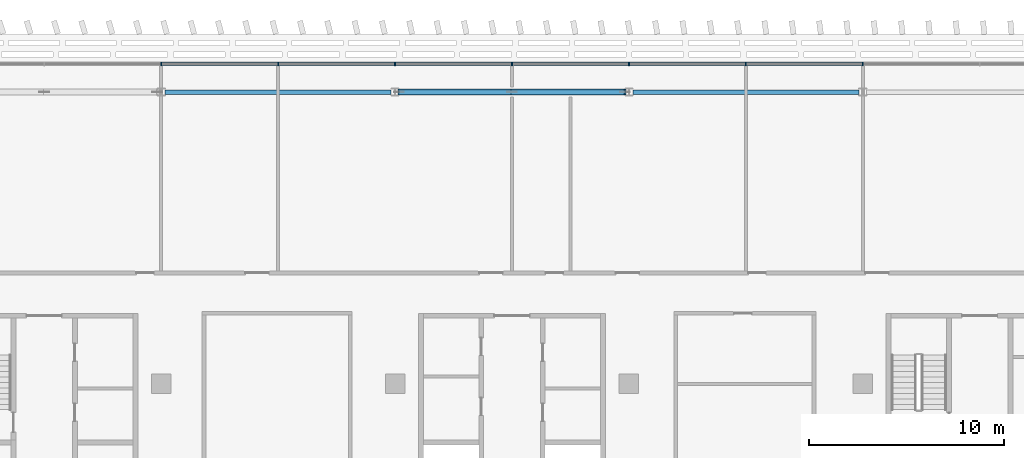
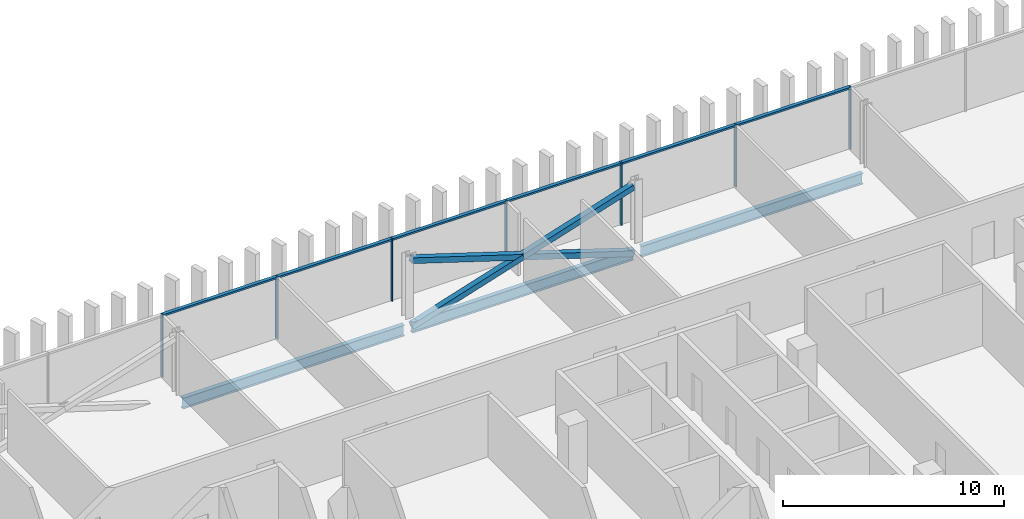
# One storey, part 10 of 32: 16 members, 3 beams, 1 element without a shape of its own.
"""IFC4 building model written with IfcOpenShell, lengths in metres."""

from ifc_helpers import new_model, si_unit, direction, frame, origin, origin_2d, place, context, subcontext, project, spatial, rectangle, hollow_rectangle, i_section, extrude, material, material_profile, profile_set, type_object, element, aggregate, save


model = new_model("IFC4")

# Units and contexts
model_context = context("Model", 3, precision=1e-05, world=origin(), true_north=direction((0.0, 1.0)))
body_context = subcontext(model_context, "Body", "Model", "MODEL_VIEW")
ifc_project = project(units=[si_unit("LENGTHUNIT", "METRE"), si_unit("AREAUNIT", "SQUARE_METRE"), si_unit("VOLUMEUNIT", "CUBIC_METRE"), si_unit("PLANEANGLEUNIT", "RADIAN"), si_unit("MASSUNIT", "GRAM", prefix="KILO")], contexts=[model_context])

# Site, building, storey
site_placement = place(None, origin())
site = spatial("IfcSite", under=ifc_project, at=site_placement, CompositionType="ELEMENT")
building_placement = place(site_placement, origin())
building = spatial("IfcBuilding", under=site, at=building_placement, Name="Mahtab Terrace Research Tower", CompositionType="ELEMENT")
storey_placement = place(building_placement, frame((0.0, 0.0, 240.0)))
storey = spatial("IfcBuildingStorey", under=building, at=storey_placement, Name="L58", CompositionType="ELEMENT", Elevation=240.0)

# Members
ifc_material_1 = material(Name="Steel ASTM A500 Gr C", Category="steel")
ifc_material_profile_1 = material_profile(ifc_material_1, hollow_rectangle(XDim=0.3046875, YDim=0.3046875, WallThickness=0.015869140625, at=origin_2d()), Name="HSS12X12X5/8")
ifc_profile_set_1 = profile_set([ifc_material_profile_1], Name="Steel ASTM A500 Gr C")
member_type_1 = type_object("IfcMemberType", Name="HSS 12x12x5/8 brace XB121258", PredefinedType="BRACE", material=ifc_profile_set_1)
member_1_placement = place(storey_placement, frame((5.800537109375, 26.472900390625, -0.580322265625), z_axis=(-0.953344342533, 0.0, 0.301885018774), x_axis=(0.0, -1.0, 0.0)))
element("IfcMember", 1, at=member_1_placement, inside=storey, type_object=member_type_1, Name="Exoskeleton brace L58 05 a", PredefinedType="BRACE", context=body_context, shape_type="SweptSolid", body=[
    extrude(hollow_rectangle(XDim=0.3046875, YDim=0.3046875, WallThickness=0.015869140625, at=origin_2d()), origin(), (0.0, 0.0, 1.0), 12.168701171875),
])
for number, where, z_axis, x_axis, name in (
    (2, (-5.800537109375, 26.472900390625, -0.580322265625), (0.953350116476, 0.0, 0.301866784219), (0.0, 1.0, 0.0), "Exoskeleton brace L58 05 b1"),
    (3, (0.0, 26.472900390625, 1.25634765625), (0.953338568311, 0.0, 0.301903252998), (0.0, 1.0, 0.0), "Exoskeleton brace L58 05 b2"),
):
    element("IfcMember", number, at=place(storey_placement, frame(where, z_axis=z_axis, x_axis=x_axis)), inside=storey, type_object=member_type_1, Name=name, PredefinedType="BRACE", context=body_context, shape_type="SweptSolid", body=[
        extrude(hollow_rectangle(XDim=0.3046875, YDim=0.3046875, WallThickness=0.015869140625, at=origin_2d()), origin(), (0.0, 0.0, 1.0), 6.08447265625),
    ])

# Curtain wall, members
ifc_material_2 = material(Name="Office ribbon curtain wall")
curtain_wall_type = type_object("IfcCurtainWallType", Name="Office ribbon curtain wall", PredefinedType="NOTDEFINED", material=ifc_material_2)
curtain_wall_placement = place(storey_placement, origin())
curtain_wall = element("IfcCurtainWall", 4, at=curtain_wall_placement, inside=storey, type_object=curtain_wall_type, Name="EN.L58.3.3", PredefinedType="NOTDEFINED")
ifc_material_3 = material(Name="Natural anodised aluminium", Category="aluminium")
ifc_material_profile_2 = material_profile(ifc_material_3, rectangle(XDim=0.179931640625, YDim=0.06005859375, at=origin_2d()), Name="MULLION 60x180")
ifc_profile_set_2 = profile_set([ifc_material_profile_2], Name="Natural anodised aluminium")
member_type_2 = type_object("IfcMemberType", Name="Office ribbon curtain wall mullion", PredefinedType="MULLION", material=ifc_profile_set_2)
member_2_placement = place(storey_placement, frame((18.0, 27.9169921875, 0.0), z_axis=(0.0, 0.0, 1.0), x_axis=(0.0, -1.0, 0.0)))
member_2 = element("IfcMember", 5, at=member_2_placement, type_object=member_type_2, Name="CWO-7 mullion 6", PredefinedType="MULLION", context=body_context, shape_type="SweptSolid", body=[
    extrude(rectangle(XDim=0.179931640625, YDim=0.06005859375, at=origin_2d()), origin(), (0.0, 0.0, 1.0), 3.4599609375),
])
member_3_placement = place(storey_placement, frame((12.0, 27.9169921875, 0.0), z_axis=(0.0, 0.0, 1.0), x_axis=(0.0, -1.0, 0.0)))
member_3 = element("IfcMember", 6, at=member_3_placement, type_object=member_type_2, Name="CWO-7 mullion 7", PredefinedType="MULLION", context=body_context, shape_type="SweptSolid", body=[
    extrude(rectangle(XDim=0.179931640625, YDim=0.06005859375, at=origin_2d()), origin(), (0.0, 0.0, 1.0), 3.4599609375),
])
member_4_placement = place(storey_placement, frame((6.0, 27.9169921875, 0.0), z_axis=(0.0, 0.0, 1.0), x_axis=(0.0, -1.0, 0.0)))
member_4 = element("IfcMember", 7, at=member_4_placement, type_object=member_type_2, Name="CWO-7 mullion 8", PredefinedType="MULLION", context=body_context, shape_type="SweptSolid", body=[
    extrude(rectangle(XDim=0.179931640625, YDim=0.06005859375, at=origin_2d()), origin(), (0.0, 0.0, 1.0), 3.4599609375),
])
member_5_placement = place(storey_placement, frame((0.0, 27.9169921875, 0.0), z_axis=(0.0, 0.0, 1.0), x_axis=(0.0, -1.0, 0.0)))
member_5 = element("IfcMember", 8, at=member_5_placement, type_object=member_type_2, Name="CWO-7 mullion 9", PredefinedType="MULLION", context=body_context, shape_type="SweptSolid", body=[
    extrude(rectangle(XDim=0.179931640625, YDim=0.06005859375, at=origin_2d()), origin(), (0.0, 0.0, 1.0), 3.4599609375),
])
member_6_placement = place(storey_placement, frame((-6.0, 27.9169921875, 0.0), z_axis=(0.0, 0.0, 1.0), x_axis=(0.0, -1.0, 0.0)))
member_6 = element("IfcMember", 9, at=member_6_placement, type_object=member_type_2, Name="CWO-7 mullion 10", PredefinedType="MULLION", context=body_context, shape_type="SweptSolid", body=[
    extrude(rectangle(XDim=0.179931640625, YDim=0.06005859375, at=origin_2d()), origin(), (0.0, 0.0, 1.0), 3.4599609375),
])
member_7_placement = place(storey_placement, frame((-12.0, 27.9169921875, 0.0), z_axis=(0.0, 0.0, 1.0), x_axis=(0.0, -1.0, 0.0)))
member_7 = element("IfcMember", 10, at=member_7_placement, type_object=member_type_2, Name="CWO-7 mullion 11", PredefinedType="MULLION", context=body_context, shape_type="SweptSolid", body=[
    extrude(rectangle(XDim=0.179931640625, YDim=0.06005859375, at=origin_2d()), origin(), (0.0, 0.0, 1.0), 3.4599609375),
])
member_8_placement = place(storey_placement, frame((-18.0, 27.9169921875, 0.0), z_axis=(0.0, 0.0, 1.0), x_axis=(0.0, -1.0, 0.0)))
member_8 = element("IfcMember", 11, at=member_8_placement, type_object=member_type_2, Name="CWO-7 mullion 12", PredefinedType="MULLION", context=body_context, shape_type="SweptSolid", body=[
    extrude(rectangle(XDim=0.179931640625, YDim=0.06005859375, at=origin_2d()), origin(), (0.0, 0.0, 1.0), 3.4599609375),
])
ifc_material_profile_3 = material_profile(ifc_material_3, rectangle(XDim=0.179931640625, YDim=0.10009765625, at=origin_2d()), Name="TRANSOM 100x180")
ifc_profile_set_3 = profile_set([ifc_material_profile_3], Name="Natural anodised aluminium")
member_type_3 = type_object("IfcMemberType", Name="Office ribbon curtain wall transom", PredefinedType="USERDEFINED", material=ifc_profile_set_3)
member_9_placement = place(storey_placement, frame((17.969970703125, 27.9169921875, 3.409912109375), z_axis=(-1.0, 0.0, 0.0), x_axis=(0.0, -1.0, 0.0)))
member_9 = element("IfcMember", 12, at=member_9_placement, type_object=member_type_3, Name="CWO-7 transom 6", ObjectType="TRANSOM", PredefinedType="USERDEFINED", context=body_context, shape_type="SweptSolid", body=[
    extrude(rectangle(XDim=0.179931640625, YDim=0.10009765625, at=origin_2d()), origin(), (0.0, 0.0, 1.0), 5.93994140625),
])
member_10_placement = place(storey_placement, frame((11.969970703125, 27.9169921875, 3.409912109375), z_axis=(-1.0, 0.0, 0.0), x_axis=(0.0, -1.0, 0.0)))
member_10 = element("IfcMember", 13, at=member_10_placement, type_object=member_type_3, Name="CWO-7 transom 7", ObjectType="TRANSOM", PredefinedType="USERDEFINED", context=body_context, shape_type="SweptSolid", body=[
    extrude(rectangle(XDim=0.179931640625, YDim=0.10009765625, at=origin_2d()), origin(), (0.0, 0.0, 1.0), 5.93994140625),
])
member_11_placement = place(storey_placement, frame((5.969970703125, 27.9169921875, 3.409912109375), z_axis=(-1.0, 0.0, 0.0), x_axis=(0.0, -1.0, 0.0)))
member_11 = element("IfcMember", 14, at=member_11_placement, type_object=member_type_3, Name="CWO-7 transom 8", ObjectType="TRANSOM", PredefinedType="USERDEFINED", context=body_context, shape_type="SweptSolid", body=[
    extrude(rectangle(XDim=0.179931640625, YDim=0.10009765625, at=origin_2d()), origin(), (0.0, 0.0, 1.0), 5.93994140625),
])
member_12_placement = place(storey_placement, frame((-0.030029296875, 27.9169921875, 3.409912109375), z_axis=(-1.0, 0.0, 0.0), x_axis=(0.0, -1.0, 0.0)))
member_12 = element("IfcMember", 15, at=member_12_placement, type_object=member_type_3, Name="CWO-7 transom 9", ObjectType="TRANSOM", PredefinedType="USERDEFINED", context=body_context, shape_type="SweptSolid", body=[
    extrude(rectangle(XDim=0.179931640625, YDim=0.10009765625, at=origin_2d()), origin(), (0.0, 0.0, 1.0), 5.93994140625),
])
member_13_placement = place(storey_placement, frame((-6.030029296875, 27.9169921875, 3.409912109375), z_axis=(-1.0, 0.0, 0.0), x_axis=(0.0, -1.0, 0.0)))
member_13 = element("IfcMember", 16, at=member_13_placement, type_object=member_type_3, Name="CWO-7 transom 10", ObjectType="TRANSOM", PredefinedType="USERDEFINED", context=body_context, shape_type="SweptSolid", body=[
    extrude(rectangle(XDim=0.179931640625, YDim=0.10009765625, at=origin_2d()), origin(), (0.0, 0.0, 1.0), 5.93994140625),
])
member_14_placement = place(storey_placement, frame((-12.030029296875, 27.9169921875, 3.409912109375), z_axis=(-1.0, 0.0, 0.0), x_axis=(0.0, -1.0, 0.0)))
member_14 = element("IfcMember", 17, at=member_14_placement, type_object=member_type_3, Name="CWO-7 transom 11", ObjectType="TRANSOM", PredefinedType="USERDEFINED", context=body_context, shape_type="SweptSolid", body=[
    extrude(rectangle(XDim=0.179931640625, YDim=0.10009765625, at=origin_2d()), origin(), (0.0, 0.0, 1.0), 5.93994140625),
])
aggregate(curtain_wall, [member_2, member_3, member_4, member_5, member_6, member_7, member_8, member_9, member_10, member_11, member_12, member_13, member_14])

# Beams
ifc_material_4 = material(Name="Steel ASTM A992 Gr 50", Category="steel")
ifc_material_profile_4 = material_profile(ifc_material_4, i_section(OverallWidth=0.228271484375, OverallDepth=0.607177734375, WebThickness=0.01123046875, FlangeThickness=0.017333984375, at=origin_2d()), Name="W24X76")
ifc_profile_set_4 = profile_set([ifc_material_profile_4], Name="Steel ASTM A992 Gr 50")
beam_type = type_object("IfcBeamType", Name="W24x76 beam BS2476", PredefinedType="BEAM", material=ifc_profile_set_4)
for number, where, z_axis, x_axis, name in (
    (18, (17.800537109375, 26.472900390625, -0.6435546875), (-1.0, 0.0, 0.0), (0.0, -1.0, 0.0), "Spandrel beam L58 04"),
    (19, (5.800537109375, 26.472900390625, -0.6435546875), (-1.0, 0.0, 0.0), (0.0, -1.0, 0.0), "Spandrel beam L58 05"),
    (20, (-6.199462890625, 26.472900390625, -0.6435546875), (-1.0, 0.0, 0.0), (0.0, -1.0, 0.0), "Spandrel beam L58 06"),
):
    element("IfcBeam", number, at=place(storey_placement, frame(where, z_axis=z_axis, x_axis=x_axis)), inside=storey, type_object=beam_type, Name=name, PredefinedType="BEAM", context=body_context, shape_type="SweptSolid", body=[
        extrude(i_section(OverallWidth=0.228271484375, OverallDepth=0.607177734375, WebThickness=0.01123046875, FlangeThickness=0.017333984375, at=origin_2d()), origin(), (0.0, 0.0, 1.0), 11.60107421875),
    ])

save(model, "model.ifc")
